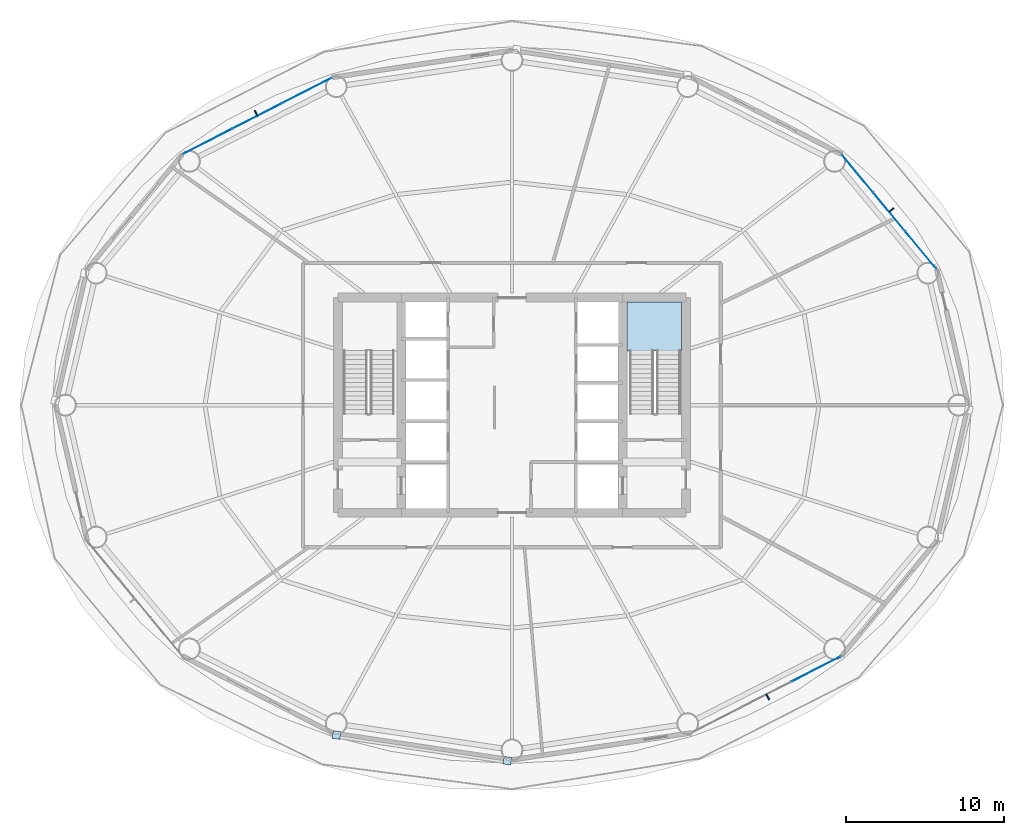
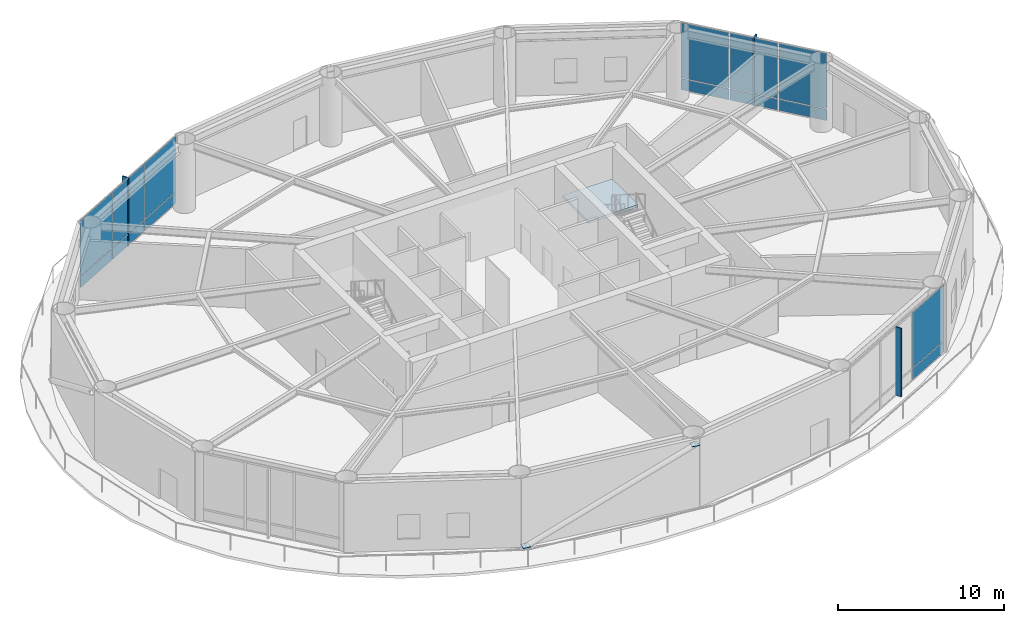
# One storey, part 19 of 25: 19 plates, 1 slab, 4 elements without a shape of their own.
"""IFC4 building model written with IfcOpenShell, lengths in metres."""

import ifcopenshell
import ifcopenshell.guid

model = None  # the IFC model being written
_history = None  # IfcOwnerHistory: only IFC2X3 demands one
_inside = {}  # id of a spatial element -> (the spatial element, [elements in it])
_under = {}  # id of a project, library or spatial element -> (it, [spatial elements below it])
_declared = {}  # id of a project -> (the project, [libraries it declares])
_typed = {}  # id of a type object -> (the type object, [elements of that type])
_made_of = {}  # id of a material, layer set ... -> (it, [elements and type objects made of it])


def new_model(schema):
    """Start an empty IFC model of exactly this schema.

    Asked for "IFC4X3", IfcOpenShell would pick the latest addendum, in which some entities
    have other attributes; the version numbers below select the first issue.
    IFC2X3 requires an IfcOwnerHistory on every rooted entity: one is made here for all.
    """
    global model, _history
    if schema == "IFC4X3":
        model = ifcopenshell.file(schema_version=(4, 3, 0, 0))
    else:
        model = ifcopenshell.file(schema=schema)
    _inside.clear()
    _under.clear()
    _declared.clear()
    _typed.clear()
    _made_of.clear()
    _history = None
    if model.schema == "IFC2X3":
        org = make("IfcOrganization", Name="unknown")
        user = make(
            "IfcPersonAndOrganization",
            ThePerson=make("IfcPerson", FamilyName="unknown"),
            TheOrganization=org,
        )
        app = make(
            "IfcApplication",
            ApplicationDeveloper=org,
            Version="unknown",
            ApplicationFullName="unknown",
            ApplicationIdentifier="unknown",
        )
        _history = make(
            "IfcOwnerHistory",
            OwningUser=user,
            OwningApplication=app,
            ChangeAction="ADDED",
            CreationDate=0,
        )
    return model


def make(cls, **values):
    """One entity of the class cls with the attributes given. An attribute that is None is left unset."""
    return model.create_entity(
        cls, **{name: value for name, value in values.items() if value is not None}
    )


def rooted(cls, **values):
    """An entity with a GlobalId (a new one), such as an element, a storey or a relation."""
    return make(cls, GlobalId=ifcopenshell.guid.new(), OwnerHistory=_history, **values)


def si_unit(unit_type, name, prefix=None):
    """IfcSIUnit, for example si_unit("LENGTHUNIT", "METRE", prefix="MILLI")."""
    return make("IfcSIUnit", UnitType=unit_type, Prefix=prefix, Name=name)


def assignment(units):
    """IfcUnitAssignment: the units of a project."""
    return None if units is None else make("IfcUnitAssignment", Units=units)


def point(xyz):
    """IfcCartesianPoint."""
    return None if xyz is None else make("IfcCartesianPoint", Coordinates=xyz)


def direction(xyz):
    """IfcDirection."""
    return None if xyz is None else make("IfcDirection", DirectionRatios=xyz)


def frame(location, z_axis=None, x_axis=None):
    """IfcAxis2Placement3D, a coordinate frame: its origin and axes. An axis left out is left unset."""
    return make(
        "IfcAxis2Placement3D",
        Location=point(location),
        Axis=direction(z_axis),
        RefDirection=direction(x_axis),
    )


def frame_2d(location, x_axis=None):
    """IfcAxis2Placement2D, a coordinate frame in the plane: its origin and x axis."""
    return make(
        "IfcAxis2Placement2D", Location=point(location), RefDirection=direction(x_axis)
    )


def origin():
    """The frame at (0, 0, 0) with its axes left unset."""
    return frame((0.0, 0.0, 0.0))


def origin_2d():
    """The frame at (0, 0) in the plane with its x axis left unset."""
    return frame_2d((0.0, 0.0))


def place(relative_to, where):
    """IfcLocalPlacement: puts the frame where relative to a parent placement (None: the world)."""
    return make(
        "IfcLocalPlacement", PlacementRelTo=relative_to, RelativePlacement=where
    )


def context(
    kind, dimensions, precision=None, world=None, true_north=None, identifier=None
):
    """IfcGeometricRepresentationContext, for example the 3D "Model" context."""
    return make(
        "IfcGeometricRepresentationContext",
        ContextIdentifier=identifier,
        ContextType=kind,
        CoordinateSpaceDimension=dimensions,
        Precision=precision,
        WorldCoordinateSystem=world,
        TrueNorth=true_north,
    )


def subcontext(parent, identifier, kind, view, scale=None):
    """IfcGeometricRepresentationSubContext, for example "Body" below "Model"."""
    return make(
        "IfcGeometricRepresentationSubContext",
        ContextIdentifier=identifier,
        ContextType=kind,
        ParentContext=parent,
        TargetScale=scale,
        TargetView=view,
    )


def project(units=None, contexts=None):
    """IfcProject with its units and contexts."""
    return rooted(
        "IfcProject",
        Name="project",
        RepresentationContexts=contexts,
        UnitsInContext=assignment(units),
    )


def spatial(cls, under=None, at=None, **own):
    """A site, building, storey or space (cls), placed at a placement, below another one or the project."""
    s = rooted(cls, ObjectPlacement=at, **own)
    if under is not None:
        _under.setdefault(under.id(), (under, []))[1].append(s)
    return s


def polyline(points):
    """IfcPolyline through the points."""
    return make("IfcPolyline", Points=[point(p) for p in points])


def profile(cls, at=None, kind="AREA", **sizes):
    """A parametric profile (cls). Its sizes go by their IFC names, for example OverallWidth=200.0."""
    return make(cls, ProfileType=kind, Position=at, **sizes)


def rectangle(**sizes):
    """IfcRectangleProfileDef."""
    return profile("IfcRectangleProfileDef", **sizes)


def outline(outer, holes=None, kind="AREA"):
    """IfcArbitraryClosedProfileDef: a profile drawn as a closed curve; with holes, ...WithVoids."""
    if holes is None:
        return make("IfcArbitraryClosedProfileDef", ProfileType=kind, OuterCurve=outer)
    return make(
        "IfcArbitraryProfileDefWithVoids",
        ProfileType=kind,
        OuterCurve=outer,
        InnerCurves=holes,
    )


def extrude(swept, where, along, depth):
    """IfcExtrudedAreaSolid: the profile swept, set in the frame where, extruded along a direction by depth."""
    return make(
        "IfcExtrudedAreaSolid",
        SweptArea=swept,
        Position=where,
        ExtrudedDirection=direction(along),
        Depth=depth,
    )


def shape(context_of_items, identifier, shape_type, items):
    """IfcShapeRepresentation: the items that make up one representation, for example the "Body"."""
    return make(
        "IfcShapeRepresentation",
        ContextOfItems=context_of_items,
        RepresentationIdentifier=identifier,
        RepresentationType=shape_type,
        Items=items,
    )


def material(Name=None, Category=None):
    """IfcMaterial."""
    return make("IfcMaterial", Name=Name, Category=Category)


def layer(
    of_material, thickness, ventilated=None, Name=None, Category=None, Priority=None
):
    """IfcMaterialLayer: one layer of a wall or slab, of a material (None: an air gap)."""
    return make(
        "IfcMaterialLayer",
        Material=of_material,
        LayerThickness=thickness,
        IsVentilated=ventilated,
        Name=Name,
        Category=Category,
        Priority=Priority,
    )


def layer_set(layers, Name=None):
    """IfcMaterialLayerSet."""
    return make("IfcMaterialLayerSet", MaterialLayers=layers, LayerSetName=Name)


def made_of(thing, what):
    """Note that an element or type object is made of a material, layer set ...; save() writes the relation."""
    if what is not None:
        _made_of.setdefault(what.id(), (what, []))[1].append(thing)
    return thing


def type_object(cls, material=None, **own):
    """A type object (cls), such as IfcWallType, which elements share."""
    return made_of(rooted(cls, **own), material)


def element(
    cls,
    number,
    at=None,
    inside=None,
    cuts=None,
    type_object=None,
    material=None,
    context=None,
    identifier="Body",
    shape_type=None,
    held_by="IfcProductDefinitionShape",
    body=None,
    shapes=None,
    **own,
):
    """One element of the class cls, such as IfcWall. Its Tag is "e" and its number.

    at: its placement. inside: the storey or other place that contains it. cuts: it is an
    opening in that element (IfcRelVoidsElement). A single representation is given by context,
    identifier, shape_type and body (its items); several are given by shapes. held_by: the class
    of the entity that holds the representations. save() writes the other relations.
    """
    e = rooted(cls, Tag="e%d" % number, ObjectPlacement=at, **own)
    if body is not None:
        shapes = [shape(context, identifier, shape_type, body)]
    if shapes is not None:
        e.Representation = make(held_by, Representations=shapes)
    if inside is not None:
        _inside.setdefault(inside.id(), (inside, []))[1].append(e)
    if cuts is not None:
        rooted(
            "IfcRelVoidsElement", RelatingBuildingElement=cuts, RelatedOpeningElement=e
        )
    if type_object is not None:
        _typed.setdefault(type_object.id(), (type_object, []))[1].append(e)
    return made_of(e, material)


def aggregate(whole, parts):
    """IfcRelAggregates: a whole, such as a stair, and the parts it consists of."""
    return rooted("IfcRelAggregates", RelatingObject=whole, RelatedObjects=parts)


def save(model, path):
    """Write the relations noted so far, then the file.

    IfcRelAggregates (storeys below a building ...), IfcRelContainedInSpatialStructure (elements
    in a storey), IfcRelDefinesByType, IfcRelAssociatesMaterial and IfcRelDeclares: one each for
    every whole, place, type object, material and project.
    """
    for whole, parts in _under.values():
        aggregate(whole, parts)
    for where, things in _inside.values():
        rooted(
            "IfcRelContainedInSpatialStructure",
            RelatedElements=things,
            RelatingStructure=where,
        )
    for kind, things in _typed.values():
        rooted("IfcRelDefinesByType", RelatedObjects=things, RelatingType=kind)
    for what, things in _made_of.values():
        rooted("IfcRelAssociatesMaterial", RelatedObjects=things, RelatingMaterial=what)
    for by, libraries in _declared.values():
        rooted("IfcRelDeclares", RelatingContext=by, RelatedDefinitions=libraries)
    model.write(path)


model = new_model("IFC4")

# Units and contexts
model_context = context("Model", 3, precision=1e-05, world=origin(), true_north=direction((0.0, 1.0)))
body_context = subcontext(model_context, "Body", "Model", "MODEL_VIEW")
ifc_project = project(units=[si_unit("LENGTHUNIT", "METRE"), si_unit("AREAUNIT", "SQUARE_METRE"), si_unit("VOLUMEUNIT", "CUBIC_METRE"), si_unit("PLANEANGLEUNIT", "RADIAN"), si_unit("MASSUNIT", "GRAM", prefix="KILO")], contexts=[model_context])

# Site, building, storey
site_placement = place(None, origin())
site = spatial("IfcSite", under=ifc_project, at=site_placement, CompositionType="ELEMENT")
building_placement = place(site_placement, origin())
building = spatial("IfcBuilding", under=site, at=building_placement, Name="Sarneth Arch Tower", CompositionType="ELEMENT")
storey_placement = place(building_placement, frame((0.0, 0.0, 134.39990234375)))
storey = spatial("IfcBuildingStorey", under=building, at=storey_placement, Name="L34", CompositionType="ELEMENT", Elevation=134.39990234375)

# Curtain wall, plates
ifc_material_1 = material(Name="Anodised aluminium Type AA25 and solar-control low-e laminated IGU", Category="aluminium")
ifc_layer_1 = layer(ifc_material_1, 0.159912109375)
ifc_layer_set_1 = layer_set([ifc_layer_1], Name="Anodised aluminium Type AA25 and solar-control low-e laminated IGU")
curtain_wall_type = type_object("IfcCurtainWallType", Name="CW-HOTEL-MID", PredefinedType="NOTDEFINED", material=ifc_layer_set_1)
curtain_wall_1_placement = place(storey_placement, origin())
curtain_wall_1 = element("IfcCurtainWall", 1, at=curtain_wall_1_placement, inside=storey, type_object=curtain_wall_type, Name="L34 Unitised curtain wall facet 02", PredefinedType="NOTDEFINED")
ifc_material_2 = material(Name="Solar-control low-e laminated IGU", Category="glass")
ifc_layer_2 = layer(ifc_material_2, 0.028076171875)
ifc_layer_set_2 = layer_set([ifc_layer_2], Name="Solar-control low-e laminated IGU")
plate_type_1 = type_object("IfcPlateType", Name="CW-PANEL", PredefinedType="CURTAIN_PANEL", material=ifc_layer_set_2)
plate_1_placement = place(storey_placement, frame((73.84814453125, 51.807861328125, 0.06005859375), z_axis=(0.0, 0.0, 1.0), x_axis=(-0.637515188684, 0.770437787363, 0.0)))
plate_1 = element("IfcPlate", 2, at=plate_1_placement, type_object=plate_type_1, Name="Curtain wall glazed vision pane CW-L34-F02/P00-00", PredefinedType="CURTAIN_PANEL", context=body_context, shape_type="SweptSolid", body=[
    extrude(rectangle(XDim=3.058349609375, YDim=0.028076171875, at=origin_2d()), origin(), (0.0, 0.0, 1.0), 0.81005859375),
])
plate_2_placement = place(storey_placement, frame((73.84814453125, 51.807861328125, 0.93017578125), z_axis=(0.0, 0.0, 1.0), x_axis=(-0.637515188684, 0.770437787363, 0.0)))
plate_2 = element("IfcPlate", 3, at=plate_2_placement, type_object=plate_type_1, Name="Curtain wall glazed vision pane CW-L34-F02/P00-01", PredefinedType="CURTAIN_PANEL", context=body_context, shape_type="SweptSolid", body=[
    extrude(rectangle(XDim=3.058349609375, YDim=0.028076171875, at=origin_2d()), origin(), (0.0, 0.0, 1.0), 4.06005859375),
])
plate_3_placement = place(storey_placement, frame((71.8505859375, 54.221923828125, 0.06005859375), z_axis=(0.0, 0.0, 1.0), x_axis=(-0.637515188684, 0.770437787363, 0.0)))
plate_3 = element("IfcPlate", 4, at=plate_3_placement, type_object=plate_type_1, Name="Curtain wall glazed vision pane CW-L34-F02/P01-00", PredefinedType="CURTAIN_PANEL", context=body_context, shape_type="SweptSolid", body=[
    extrude(rectangle(XDim=3.08837890625, YDim=0.028076171875, at=origin_2d()), origin(), (0.0, 0.0, 1.0), 0.81005859375),
])
plate_4_placement = place(storey_placement, frame((71.8505859375, 54.221923828125, 0.93017578125), z_axis=(0.0, 0.0, 1.0), x_axis=(-0.637515188684, 0.770437787363, 0.0)))
plate_4 = element("IfcPlate", 5, at=plate_4_placement, type_object=plate_type_1, Name="Curtain wall glazed vision pane CW-L34-F02/P01-01", PredefinedType="CURTAIN_PANEL", context=body_context, shape_type="SweptSolid", body=[
    extrude(rectangle(XDim=3.08837890625, YDim=0.028076171875, at=origin_2d()), origin(), (0.0, 0.0, 1.0), 4.06005859375),
])
plate_5_placement = place(storey_placement, frame((69.85302734375, 56.635986328125, 0.06005859375), z_axis=(0.0, 0.0, 1.0), x_axis=(-0.637515188684, 0.770437787363, 0.0)))
plate_5 = element("IfcPlate", 6, at=plate_5_placement, type_object=plate_type_1, Name="Curtain wall glazed vision pane CW-L34-F02/P02-00", PredefinedType="CURTAIN_PANEL", context=body_context, shape_type="SweptSolid", body=[
    extrude(rectangle(XDim=3.058349609375, YDim=0.028076171875, at=origin_2d()), origin(), (0.0, 0.0, 1.0), 0.81005859375),
])
plate_6_placement = place(storey_placement, frame((69.85302734375, 56.635986328125, 0.93017578125), z_axis=(0.0, 0.0, 1.0), x_axis=(-0.637515188684, 0.770437787363, 0.0)))
plate_6 = element("IfcPlate", 7, at=plate_6_placement, type_object=plate_type_1, Name="Curtain wall glazed vision pane CW-L34-F02/P02-01", PredefinedType="CURTAIN_PANEL", context=body_context, shape_type="SweptSolid", body=[
    extrude(rectangle(XDim=3.058349609375, YDim=0.028076171875, at=origin_2d()), origin(), (0.0, 0.0, 1.0), 4.06005859375),
])
aggregate(curtain_wall_1, [plate_1, plate_2, plate_3, plate_4, plate_5, plate_6])

curtain_wall_2_placement = place(storey_placement, origin())
curtain_wall_2 = element("IfcCurtainWall", 8, at=curtain_wall_2_placement, inside=storey, type_object=curtain_wall_type, Name="L34 Unitised curtain wall facet 06", PredefinedType="NOTDEFINED")
plate_7_placement = place(storey_placement, frame((35.053955078125, 61.905517578125, 0.06005859375), z_axis=(0.0, 0.0, 1.0), x_axis=(-0.889963703649, -0.456031365356, 0.0)))
plate_7 = element("IfcPlate", 9, at=plate_7_placement, type_object=plate_type_1, Name="Curtain wall glazed vision pane CW-L34-F06/P00-00", PredefinedType="CURTAIN_PANEL", context=body_context, shape_type="SweptSolid", body=[
    extrude(rectangle(XDim=3.464111328125, YDim=0.028076171875, at=origin_2d()), origin(), (0.0, 0.0, 1.0), 0.81005859375),
])
plate_8_placement = place(storey_placement, frame((35.053955078125, 61.905517578125, 0.93017578125), z_axis=(0.0, 0.0, 1.0), x_axis=(-0.889963703649, -0.456031365356, 0.0)))
plate_8 = element("IfcPlate", 10, at=plate_8_placement, type_object=plate_type_1, Name="Curtain wall glazed vision pane CW-L34-F06/P00-01", PredefinedType="CURTAIN_PANEL", context=body_context, shape_type="SweptSolid", body=[
    extrude(rectangle(XDim=3.464111328125, YDim=0.028076171875, at=origin_2d()), origin(), (0.0, 0.0, 1.0), 4.06005859375),
])
plate_9_placement = place(storey_placement, frame((31.904296875, 60.29150390625, 0.06005859375), z_axis=(0.0, 0.0, 1.0), x_axis=(-0.889963703649, -0.456031365356, 0.0)))
plate_9 = element("IfcPlate", 11, at=plate_9_placement, type_object=plate_type_1, Name="Curtain wall glazed vision pane CW-L34-F06/P01-00", PredefinedType="CURTAIN_PANEL", context=body_context, shape_type="SweptSolid", body=[
    extrude(rectangle(XDim=3.493896484375, YDim=0.028076171875, at=origin_2d()), origin(), (0.0, 0.0, 1.0), 0.81005859375),
])
plate_10_placement = place(storey_placement, frame((31.904296875, 60.29150390625, 0.93017578125), z_axis=(0.0, 0.0, 1.0), x_axis=(-0.889963703649, -0.456031365356, 0.0)))
plate_10 = element("IfcPlate", 12, at=plate_10_placement, type_object=plate_type_1, Name="Curtain wall glazed vision pane CW-L34-F06/P01-01", PredefinedType="CURTAIN_PANEL", context=body_context, shape_type="SweptSolid", body=[
    extrude(rectangle(XDim=3.493896484375, YDim=0.028076171875, at=origin_2d()), origin(), (0.0, 0.0, 1.0), 4.06005859375),
])
plate_11_placement = place(storey_placement, frame((28.7548828125, 58.677734375, 0.06005859375), z_axis=(0.0, 0.0, 1.0), x_axis=(-0.889963703649, -0.456031365356, 0.0)))
plate_11 = element("IfcPlate", 13, at=plate_11_placement, type_object=plate_type_1, Name="Curtain wall glazed vision pane CW-L34-F06/P02-00", PredefinedType="CURTAIN_PANEL", context=body_context, shape_type="SweptSolid", body=[
    extrude(rectangle(XDim=3.464111328125, YDim=0.028076171875, at=origin_2d()), origin(), (0.0, 0.0, 1.0), 0.81005859375),
])
plate_12_placement = place(storey_placement, frame((28.7548828125, 58.677734375, 0.93017578125), z_axis=(0.0, 0.0, 1.0), x_axis=(-0.889963703649, -0.456031365356, 0.0)))
plate_12 = element("IfcPlate", 14, at=plate_12_placement, type_object=plate_type_1, Name="Curtain wall glazed vision pane CW-L34-F06/P02-01", PredefinedType="CURTAIN_PANEL", context=body_context, shape_type="SweptSolid", body=[
    extrude(rectangle(XDim=3.464111328125, YDim=0.028076171875, at=origin_2d()), origin(), (0.0, 0.0, 1.0), 4.06005859375),
])
aggregate(curtain_wall_2, [plate_7, plate_8, plate_9, plate_10, plate_11, plate_12])

curtain_wall_3_placement = place(storey_placement, origin())
curtain_wall_3 = element("IfcCurtainWall", 15, at=curtain_wall_3_placement, inside=storey, type_object=curtain_wall_type, Name="L34 Unitised curtain wall facet 14", PredefinedType="NOTDEFINED")
plate_13_placement = place(storey_placement, frame((67.2451171875, 25.322265625, 0.06005859375), z_axis=(0.0, 0.0, 1.0), x_axis=(0.889963703649, 0.456031365356, 0.0)))
plate_13 = element("IfcPlate", 16, at=plate_13_placement, type_object=plate_type_1, Name="Curtain wall glazed vision pane CW-L34-F14/P02-00", PredefinedType="CURTAIN_PANEL", context=body_context, shape_type="SweptSolid", body=[
    extrude(rectangle(XDim=3.464111328125, YDim=0.028076171875, at=origin_2d()), origin(), (0.0, 0.0, 1.0), 0.81005859375),
])
plate_14_placement = place(storey_placement, frame((67.2451171875, 25.322265625, 0.93017578125), z_axis=(0.0, 0.0, 1.0), x_axis=(0.889963703649, 0.456031365356, 0.0)))
plate_14 = element("IfcPlate", 17, at=plate_14_placement, type_object=plate_type_1, Name="Curtain wall glazed vision pane CW-L34-F14/P02-01", PredefinedType="CURTAIN_PANEL", context=body_context, shape_type="SweptSolid", body=[
    extrude(rectangle(XDim=3.464111328125, YDim=0.028076171875, at=origin_2d()), origin(), (0.0, 0.0, 1.0), 4.06005859375),
])
aggregate(curtain_wall_3, [plate_13, plate_14])

# Plates
ifc_material_3 = material(Name="Steel S355", Category="steel")
ifc_layer_3 = layer(ifc_material_3, 0.035888671875)
ifc_layer_set_3 = layer_set([ifc_layer_3], Name="Steel S355")
plate_type_2 = type_object("IfcPlateType", Name="PLT-GUSSET-30", PredefinedType="SHEET", material=ifc_layer_set_3)
for number, where, z_axis, x_axis, name in (
    (18, (36.9072265625, 21.140380859375, 0.001953125), (0.0, 0.0, 1.0), (0.988860535448, -0.148845024885, 0.0), "Steel end cap plate GP-1"),
    (19, (47.703369140625, 19.5146484375, 4.66552734375), (0.0, 0.0, 1.0), (0.988860535448, -0.148845024885, 0.0), "Steel end cap plate GP-1"),
):
    element("IfcPlate", number, at=place(storey_placement, frame(where, z_axis=z_axis, x_axis=x_axis)), inside=storey, type_object=plate_type_2, Name=name, PredefinedType="SHEET", context=body_context, shape_type="SweptSolid", body=[
        extrude(rectangle(XDim=0.486083984375, YDim=0.486083984375, at=origin_2d()), origin(), (0.0, 0.0, 1.0), 0.035888671875),
    ])
ifc_material_4 = material(Name="Extruded glazed terracotta baguette fin on Aluminium 6063-T6 carrier", Category="masonry")
ifc_layer_4 = layer(ifc_material_4, 0.080078125)
ifc_layer_set_4 = layer_set([ifc_layer_4], Name="Extruded glazed terracotta baguette fin on Aluminium 6063-T6 carrier")
plate_type_3 = type_object("IfcPlateType", Name="SHADE-TERRA-FIN", PredefinedType="SHEET", material=ifc_layer_set_4)
for number, where, z_axis, x_axis, name in (
    (20, (71.981689453125, 54.330322265625, 0.01025390625), (0.0, 0.0, 1.0), (0.770401979567, 0.63755845997, 0.0), "L34 Terracotta vertical shading fin 02"),
    (21, (31.826904296875, 60.44287109375, 0.01025390625), (0.0, 0.0, 1.0), (-0.456010959102, 0.889974159838, 0.0), "L34 Terracotta vertical shading fin 06"),
    (22, (64.173095703125, 23.55712890625, 0.01025390625), (0.0, 0.0, 1.0), (0.456010959102, -0.889974159838, 0.0), "L34 Terracotta vertical shading fin 14"),
):
    element("IfcPlate", number, at=place(storey_placement, frame(where, z_axis=z_axis, x_axis=x_axis)), inside=storey, type_object=plate_type_3, Name=name, PredefinedType="SHEET", context=body_context, shape_type="SweptSolid", body=[
        extrude(rectangle(XDim=0.419921875, YDim=0.080078125, at=origin_2d()), origin(), (0.0, 0.0, 1.0), 5.030029296875),
    ])

# Stair, slab
ifc_material_5 = material(Name="Concrete C50/60", Category="concrete")
stair_type = type_object("IfcStairType", Name="STAIR-CORE-RC", PredefinedType="HALF_TURN_STAIR", material=ifc_material_5)
stair_placement = place(storey_placement, origin())
stair = element("IfcStair", 23, at=stair_placement, inside=storey, type_object=stair_type, Name="L34 Core Exit Stair 2", PredefinedType="HALF_TURN_STAIR")
ifc_material_6 = material(Name="Concrete C50/60", Category="concrete")
ifc_layer_5 = layer(ifc_material_6, 0.199951171875)
ifc_layer_set_5 = layer_set([ifc_layer_5], Name="Concrete C50/60")
slab_type = type_object("IfcSlabType", Name="SLAB-LANDING-200", PredefinedType="LANDING", material=ifc_layer_set_5)
slab_placement = place(storey_placement, frame((0.0, 0.0, 2.5)))
slab = element("IfcSlab", 24, at=slab_placement, type_object=slab_type, Name="ST-2 landing 1", PredefinedType="LANDING", context=body_context, shape_type="SweptSolid", body=[
    extrude(outline(polyline([(55.27490234375, 45.409912109375), (58.72509765625, 45.409912109375), (58.72509765625, 48.52490234375), (55.27490234375, 48.52490234375), (55.27490234375, 45.409912109375)])), origin(), (0.0, 0.0, 1.0), 0.2001953125),
])
aggregate(stair, [slab])

save(model, "model.ifc")
